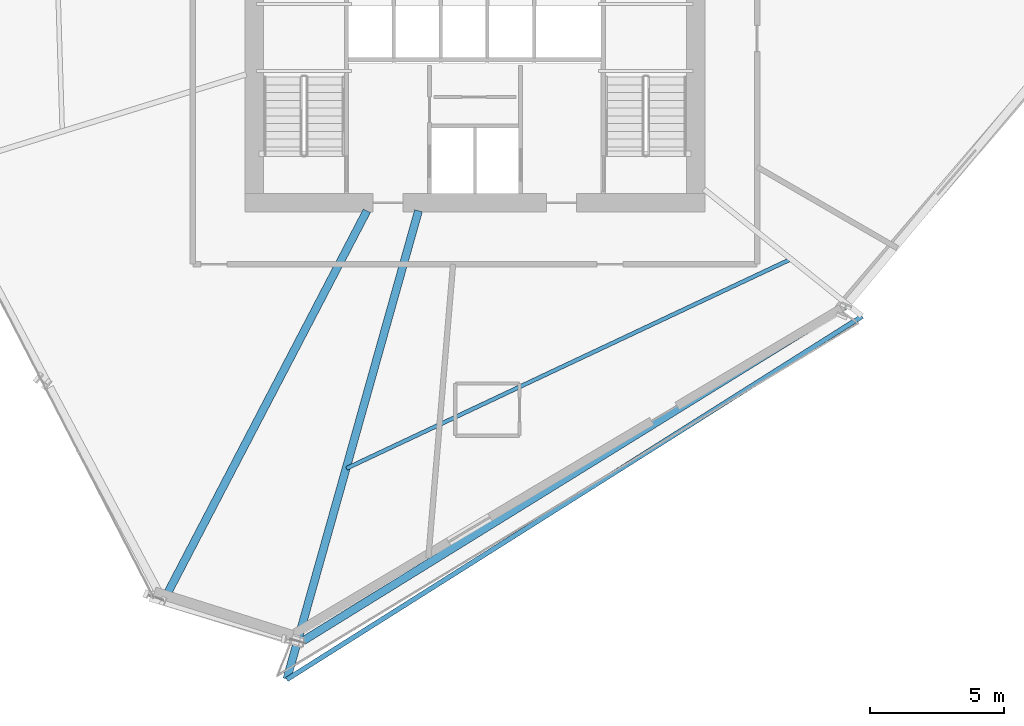
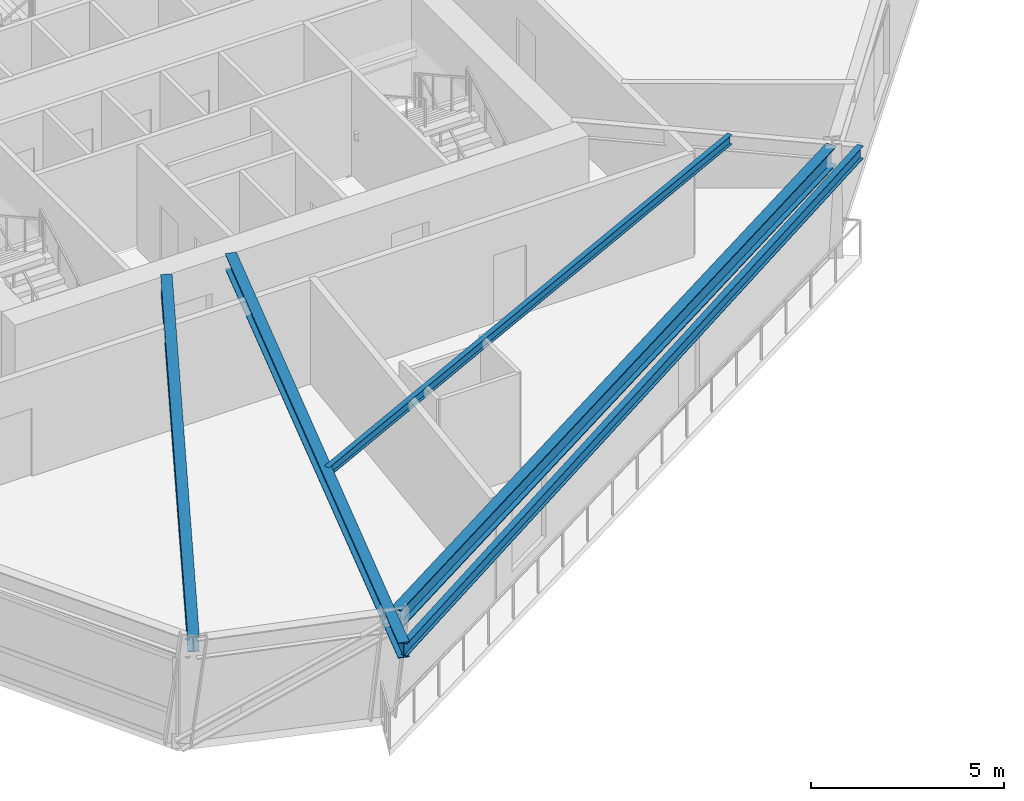
# One storey, part 4 of 19: 5 beams.
"""IFC4 building model written with IfcOpenShell, lengths in metres."""

from ifc_helpers import new_model, si_unit, direction, frame, origin, origin_2d, place, context, subcontext, project, spatial, i_section, extrude, source, transform, mapped, material, material_profile, profile_set, type_object, element, save


model = new_model("IFC4")

# Units and contexts
model_context = context("Model", 3, precision=1e-05, world=origin(), true_north=direction((0.0, 1.0)))
body_context = subcontext(model_context, "Body", "Model", "MODEL_VIEW")
ifc_project = project(units=[si_unit("LENGTHUNIT", "METRE"), si_unit("AREAUNIT", "SQUARE_METRE"), si_unit("VOLUMEUNIT", "CUBIC_METRE"), si_unit("PLANEANGLEUNIT", "RADIAN"), si_unit("MASSUNIT", "GRAM", prefix="KILO")], contexts=[model_context])

# Site, building, storey
site_placement = place(None, origin())
site = spatial("IfcSite", under=ifc_project, at=site_placement, CompositionType="ELEMENT")
building_placement = place(site_placement, origin())
building = spatial("IfcBuilding", under=site, at=building_placement, Name="Olszyna Solenne Hotel", CompositionType="ELEMENT")
storey_placement = place(building_placement, frame((0.0, 0.0, 102.14990234375)))
storey = spatial("IfcBuildingStorey", under=building, at=storey_placement, Name="L26", CompositionType="ELEMENT", Elevation=102.14990234375)

# Beams
ifc_material = material(Name="Steel S355J2", Category="steel")
ifc_material_profile_1 = material_profile(ifc_material, i_section(OverallWidth=0.300048828125, OverallDepth=0.60009765625, WebThickness=0.015380859375, FlangeThickness=0.030029296875, at=origin_2d()), Name="HEB 600", Category="load-bearing")
ifc_profile_set_1 = profile_set([ifc_material_profile_1], Name="Steel S355J2")
beam_type_1 = type_object("IfcBeamType", Name="BM-S2", PredefinedType="BEAM", material=ifc_profile_set_1)
shared_shape_1 = source(origin(), body_context, "Body", "SweptSolid", [
    extrude(i_section(OverallWidth=0.300048828125, OverallDepth=0.60009765625, WebThickness=0.015380859375, FlangeThickness=0.030029296875, at=origin_2d()), origin(), (0.0, 0.0, 1.0), 23.865478515625),
])
beam_1_placement = place(storey_placement, frame((31.542236328125, 2.749267578125, 3.0), z_axis=(0.850503131143, 0.525969983855, 0.0), x_axis=(-0.525969983855, 0.850503131143, 0.0)))
element("IfcBeam", 1, at=beam_1_placement, inside=storey, type_object=beam_type_1, Name="Perimeter spandrel beam BM-S2 B-L26-0789", PredefinedType="BEAM", context=body_context, shape_type="MappedRepresentation", body=[
    mapped(shared_shape_1, transform((0.0, 0.0, 0.0), x_axis=(1.0, 0.0, 0.0), y_axis=(0.0, 1.0, 0.0), z_axis=(0.0, 0.0, 1.0), scale=1.0)),
])
ifc_material_profile_2 = material_profile(ifc_material, i_section(OverallWidth=0.300048828125, OverallDepth=0.489990234375, WebThickness=0.011962890625, FlangeThickness=0.02294921875, at=origin_2d()), Name="HEA 500", Category="load-bearing")
ifc_profile_set_2 = profile_set([ifc_material_profile_2], Name="Steel S355J2")
beam_type_2 = type_object("IfcBeamType", Name="BM-G1", PredefinedType="BEAM", material=ifc_profile_set_2)
shared_shape_2 = source(origin(), body_context, "Body", "SweptSolid", [
    extrude(i_section(OverallWidth=0.300048828125, OverallDepth=0.489990234375, WebThickness=0.011962890625, FlangeThickness=0.02294921875, at=origin_2d()), origin(), (0.0, 0.0, 1.0), 16.397705078125),
])
beam_2_placement = place(storey_placement, frame((26.37744140625, 4.3037109375, 3.05517578125), z_axis=(0.462253047284, 0.886748059077, 0.0), x_axis=(-0.886748059077, 0.462253047284, 0.0)))
element("IfcBeam", 2, at=beam_2_placement, inside=storey, type_object=beam_type_2, Name="Radial floor girder BM-G1 B-L26-0798", PredefinedType="BEAM", context=body_context, shape_type="MappedRepresentation", body=[
    mapped(shared_shape_2, transform((0.0, 0.0, 0.0), x_axis=(1.0, 0.0, 0.0), y_axis=(0.0, 1.0, 0.0), z_axis=(0.0, 0.0, 1.0), scale=1.0)),
])
shared_shape_3 = source(origin(), body_context, "Body", "SweptSolid", [
    extrude(i_section(OverallWidth=0.300048828125, OverallDepth=0.489990234375, WebThickness=0.011962890625, FlangeThickness=0.02294921875, at=origin_2d()), origin(), (0.0, 0.0, 1.0), 18.185546875),
])
beam_3_placement = place(storey_placement, frame((30.968017578125, 1.340576171875, 3.05517578125), z_axis=(0.270512691717, 0.962716408721, 0.0), x_axis=(-0.962716408721, 0.270512691717, 0.0)))
element("IfcBeam", 3, at=beam_3_placement, inside=storey, type_object=beam_type_2, Name="Radial floor girder BM-G1 B-L26-0799", PredefinedType="BEAM", context=body_context, shape_type="MappedRepresentation", body=[
    mapped(shared_shape_3, transform((0.0, 0.0, 0.0), x_axis=(1.0, 0.0, 0.0), y_axis=(0.0, 1.0, 0.0), z_axis=(0.0, 0.0, 1.0), scale=1.0)),
])
ifc_material_profile_3 = material_profile(ifc_material, i_section(OverallWidth=0.14990234375, OverallDepth=0.300048828125, WebThickness=0.007080078125, FlangeThickness=0.0107421875, at=origin_2d()), Name="IPE 300", Category="load-bearing")
ifc_profile_set_3 = profile_set([ifc_material_profile_3], Name="Steel S355J2")
beam_type_3 = type_object("IfcBeamType", Name="JS-02", PredefinedType="JOIST", material=ifc_profile_set_3)
shared_shape_4 = source(origin(), body_context, "Body", "SweptSolid", [
    extrude(i_section(OverallWidth=0.14990234375, OverallDepth=0.300048828125, WebThickness=0.007080078125, FlangeThickness=0.0107421875, at=origin_2d()), origin(), (0.0, 0.0, 1.0), 18.347900390625),
])
beam_4_placement = place(storey_placement, frame((33.19677734375, 9.216796875, 3.150146484375), z_axis=(0.904704680897, 0.426039247444, 0.0), x_axis=(-0.426039247444, 0.904704680897, 0.0)))
element("IfcBeam", 4, at=beam_4_placement, inside=storey, type_object=beam_type_3, Name="Secondary composite floor joist JS-02 B-L26-0806", PredefinedType="JOIST", context=body_context, shape_type="MappedRepresentation", body=[
    mapped(shared_shape_4, transform((0.0, 0.0, 0.0), x_axis=(1.0, 0.0, 0.0), y_axis=(0.0, 1.0, 0.0), z_axis=(0.0, 0.0, 1.0), scale=1.0)),
])
ifc_material_profile_4 = material_profile(ifc_material, i_section(OverallWidth=0.179931640625, OverallDepth=0.39990234375, WebThickness=0.008544921875, FlangeThickness=0.013427734375, at=origin_2d()), Name="IPE 400", Category="load-bearing")
ifc_profile_set_4 = profile_set([ifc_material_profile_4], Name="Steel S355J2")
beam_type_4 = type_object("IfcBeamType", Name="BM-F5", PredefinedType="BEAM", material=ifc_profile_set_4)
shared_shape_5 = source(origin(), body_context, "Body", "SweptSolid", [
    extrude(i_section(OverallWidth=0.179931640625, OverallDepth=0.39990234375, WebThickness=0.008544921875, FlangeThickness=0.013427734375, at=origin_2d()), origin(), (0.0, 0.0, 1.0), 25.44189453125),
])
beam_5_placement = place(storey_placement, frame((30.96240234375, 1.3212890625, 3.10009765625), z_axis=(0.84558192407, 0.533845679655, 0.0), x_axis=(-0.533845679655, 0.84558192407, 0.0)))
element("IfcBeam", 5, at=beam_5_placement, inside=storey, type_object=beam_type_4, Name="Loggia outer edge beam BM-F5 B-L26-0809", PredefinedType="BEAM", context=body_context, shape_type="MappedRepresentation", body=[
    mapped(shared_shape_5, transform((0.0, 0.0, 0.0), x_axis=(1.0, 0.0, 0.0), y_axis=(0.0, 1.0, 0.0), z_axis=(0.0, 0.0, 1.0), scale=1.0)),
])

save(model, "model.ifc")
